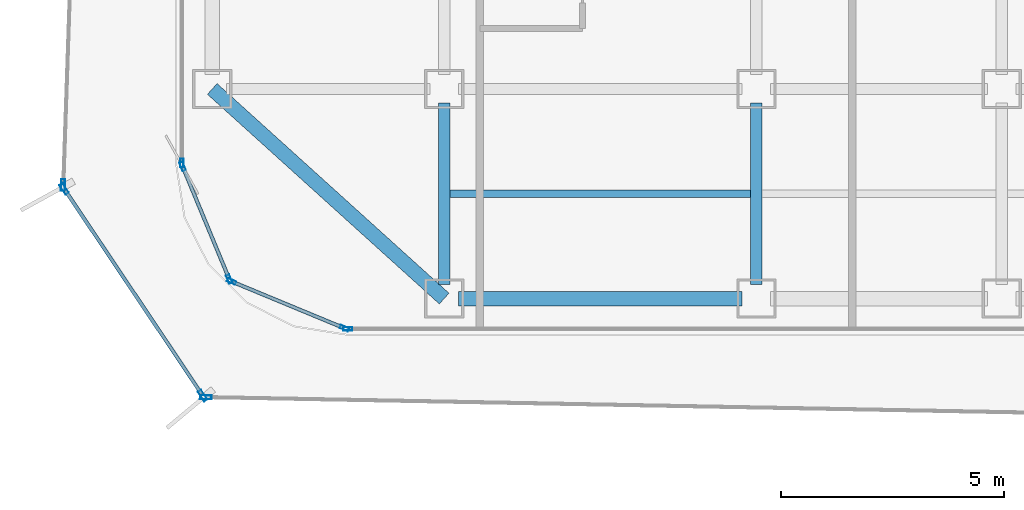
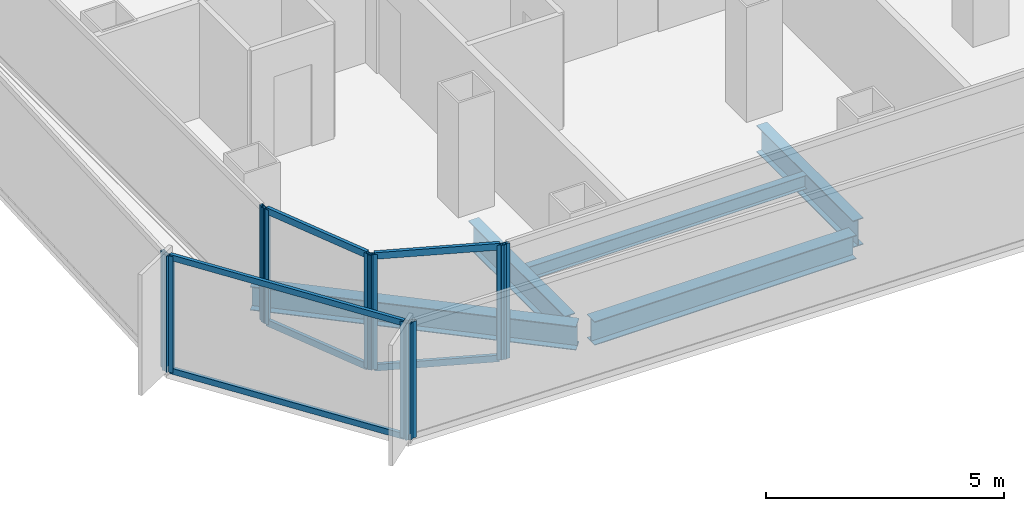
# One storey, part 2 of 21: 16 members, 5 beams, 7 elements without a shape of their own.
"""IFC4 building model written with IfcOpenShell, lengths in metres."""

import ifcopenshell
import ifcopenshell.guid

model = None  # the IFC model being written
_history = None  # IfcOwnerHistory: only IFC2X3 demands one
_inside = {}  # id of a spatial element -> (the spatial element, [elements in it])
_under = {}  # id of a project, library or spatial element -> (it, [spatial elements below it])
_declared = {}  # id of a project -> (the project, [libraries it declares])
_typed = {}  # id of a type object -> (the type object, [elements of that type])
_made_of = {}  # id of a material, layer set ... -> (it, [elements and type objects made of it])


def new_model(schema):
    """Start an empty IFC model of exactly this schema.

    Asked for "IFC4X3", IfcOpenShell would pick the latest addendum, in which some entities
    have other attributes; the version numbers below select the first issue.
    IFC2X3 requires an IfcOwnerHistory on every rooted entity: one is made here for all.
    """
    global model, _history
    if schema == "IFC4X3":
        model = ifcopenshell.file(schema_version=(4, 3, 0, 0))
    else:
        model = ifcopenshell.file(schema=schema)
    _inside.clear()
    _under.clear()
    _declared.clear()
    _typed.clear()
    _made_of.clear()
    _history = None
    if model.schema == "IFC2X3":
        org = make("IfcOrganization", Name="unknown")
        user = make(
            "IfcPersonAndOrganization",
            ThePerson=make("IfcPerson", FamilyName="unknown"),
            TheOrganization=org,
        )
        app = make(
            "IfcApplication",
            ApplicationDeveloper=org,
            Version="unknown",
            ApplicationFullName="unknown",
            ApplicationIdentifier="unknown",
        )
        _history = make(
            "IfcOwnerHistory",
            OwningUser=user,
            OwningApplication=app,
            ChangeAction="ADDED",
            CreationDate=0,
        )
    return model


def make(cls, **values):
    """One entity of the class cls with the attributes given. An attribute that is None is left unset."""
    return model.create_entity(
        cls, **{name: value for name, value in values.items() if value is not None}
    )


def rooted(cls, **values):
    """An entity with a GlobalId (a new one), such as an element, a storey or a relation."""
    return make(cls, GlobalId=ifcopenshell.guid.new(), OwnerHistory=_history, **values)


def si_unit(unit_type, name, prefix=None):
    """IfcSIUnit, for example si_unit("LENGTHUNIT", "METRE", prefix="MILLI")."""
    return make("IfcSIUnit", UnitType=unit_type, Prefix=prefix, Name=name)


def assignment(units):
    """IfcUnitAssignment: the units of a project."""
    return None if units is None else make("IfcUnitAssignment", Units=units)


def point(xyz):
    """IfcCartesianPoint."""
    return None if xyz is None else make("IfcCartesianPoint", Coordinates=xyz)


def direction(xyz):
    """IfcDirection."""
    return None if xyz is None else make("IfcDirection", DirectionRatios=xyz)


def frame(location, z_axis=None, x_axis=None):
    """IfcAxis2Placement3D, a coordinate frame: its origin and axes. An axis left out is left unset."""
    return make(
        "IfcAxis2Placement3D",
        Location=point(location),
        Axis=direction(z_axis),
        RefDirection=direction(x_axis),
    )


def frame_2d(location, x_axis=None):
    """IfcAxis2Placement2D, a coordinate frame in the plane: its origin and x axis."""
    return make(
        "IfcAxis2Placement2D", Location=point(location), RefDirection=direction(x_axis)
    )


def origin():
    """The frame at (0, 0, 0) with its axes left unset."""
    return frame((0.0, 0.0, 0.0))


def origin_2d():
    """The frame at (0, 0) in the plane with its x axis left unset."""
    return frame_2d((0.0, 0.0))


def place(relative_to, where):
    """IfcLocalPlacement: puts the frame where relative to a parent placement (None: the world)."""
    return make(
        "IfcLocalPlacement", PlacementRelTo=relative_to, RelativePlacement=where
    )


def context(
    kind, dimensions, precision=None, world=None, true_north=None, identifier=None
):
    """IfcGeometricRepresentationContext, for example the 3D "Model" context."""
    return make(
        "IfcGeometricRepresentationContext",
        ContextIdentifier=identifier,
        ContextType=kind,
        CoordinateSpaceDimension=dimensions,
        Precision=precision,
        WorldCoordinateSystem=world,
        TrueNorth=true_north,
    )


def subcontext(parent, identifier, kind, view, scale=None):
    """IfcGeometricRepresentationSubContext, for example "Body" below "Model"."""
    return make(
        "IfcGeometricRepresentationSubContext",
        ContextIdentifier=identifier,
        ContextType=kind,
        ParentContext=parent,
        TargetScale=scale,
        TargetView=view,
    )


def project(units=None, contexts=None):
    """IfcProject with its units and contexts."""
    return rooted(
        "IfcProject",
        Name="project",
        RepresentationContexts=contexts,
        UnitsInContext=assignment(units),
    )


def spatial(cls, under=None, at=None, **own):
    """A site, building, storey or space (cls), placed at a placement, below another one or the project."""
    s = rooted(cls, ObjectPlacement=at, **own)
    if under is not None:
        _under.setdefault(under.id(), (under, []))[1].append(s)
    return s


def profile(cls, at=None, kind="AREA", **sizes):
    """A parametric profile (cls). Its sizes go by their IFC names, for example OverallWidth=200.0."""
    return make(cls, ProfileType=kind, Position=at, **sizes)


def hollow_rectangle(**sizes):
    """IfcRectangleHollowProfileDef."""
    return profile("IfcRectangleHollowProfileDef", **sizes)


def i_section(**sizes):
    """IfcIShapeProfileDef."""
    return profile("IfcIShapeProfileDef", **sizes)


def extrude(swept, where, along, depth):
    """IfcExtrudedAreaSolid: the profile swept, set in the frame where, extruded along a direction by depth."""
    return make(
        "IfcExtrudedAreaSolid",
        SweptArea=swept,
        Position=where,
        ExtrudedDirection=direction(along),
        Depth=depth,
    )


def shape(context_of_items, identifier, shape_type, items):
    """IfcShapeRepresentation: the items that make up one representation, for example the "Body"."""
    return make(
        "IfcShapeRepresentation",
        ContextOfItems=context_of_items,
        RepresentationIdentifier=identifier,
        RepresentationType=shape_type,
        Items=items,
    )


def source(mapping_origin, context_of_items, identifier, shape_type, items):
    """IfcRepresentationMap: a shape defined once, which mapped items show again and again."""
    return make(
        "IfcRepresentationMap",
        MappingOrigin=mapping_origin,
        MappedRepresentation=shape(context_of_items, identifier, shape_type, items),
    )


def transform(
    local_origin,
    x_axis=None,
    y_axis=None,
    z_axis=None,
    scale=None,
    scale2=None,
    scale3=None,
    uniform=True,
):
    """IfcCartesianTransformationOperator3D, or its non-uniform kind. x_axis, y_axis, z_axis: its Axis1, 2, 3."""
    if uniform:
        return make(
            "IfcCartesianTransformationOperator3D",
            Axis1=direction(x_axis),
            Axis2=direction(y_axis),
            LocalOrigin=point(local_origin),
            Scale=scale,
            Axis3=direction(z_axis),
        )
    return make(
        "IfcCartesianTransformationOperator3DnonUniform",
        Axis1=direction(x_axis),
        Axis2=direction(y_axis),
        LocalOrigin=point(local_origin),
        Scale=scale,
        Axis3=direction(z_axis),
        Scale2=scale2,
        Scale3=scale3,
    )


def mapped(mapping_source, mapping_target):
    """IfcMappedItem: shows the shape of a source again, moved by a transform."""
    return make(
        "IfcMappedItem", MappingSource=mapping_source, MappingTarget=mapping_target
    )


def material(Name=None, Category=None):
    """IfcMaterial."""
    return make("IfcMaterial", Name=Name, Category=Category)


def layer(
    of_material, thickness, ventilated=None, Name=None, Category=None, Priority=None
):
    """IfcMaterialLayer: one layer of a wall or slab, of a material (None: an air gap)."""
    return make(
        "IfcMaterialLayer",
        Material=of_material,
        LayerThickness=thickness,
        IsVentilated=ventilated,
        Name=Name,
        Category=Category,
        Priority=Priority,
    )


def layer_set(layers, Name=None):
    """IfcMaterialLayerSet."""
    return make("IfcMaterialLayerSet", MaterialLayers=layers, LayerSetName=Name)


def material_profile(
    of_material, cross_section, Name=None, Category=None, Priority=None
):
    """IfcMaterialProfile: a cross section and its material."""
    return make(
        "IfcMaterialProfile",
        Name=Name,
        Material=of_material,
        Profile=cross_section,
        Priority=Priority,
        Category=Category,
    )


def profile_set(profiles, Name=None, composite=None):
    """IfcMaterialProfileSet."""
    return make(
        "IfcMaterialProfileSet",
        Name=Name,
        MaterialProfiles=profiles,
        CompositeProfile=composite,
    )


def made_of(thing, what):
    """Note that an element or type object is made of a material, layer set ...; save() writes the relation."""
    if what is not None:
        _made_of.setdefault(what.id(), (what, []))[1].append(thing)
    return thing


def type_object(cls, material=None, **own):
    """A type object (cls), such as IfcWallType, which elements share."""
    return made_of(rooted(cls, **own), material)


def element(
    cls,
    number,
    at=None,
    inside=None,
    cuts=None,
    type_object=None,
    material=None,
    context=None,
    identifier="Body",
    shape_type=None,
    held_by="IfcProductDefinitionShape",
    body=None,
    shapes=None,
    **own,
):
    """One element of the class cls, such as IfcWall. Its Tag is "e" and its number.

    at: its placement. inside: the storey or other place that contains it. cuts: it is an
    opening in that element (IfcRelVoidsElement). A single representation is given by context,
    identifier, shape_type and body (its items); several are given by shapes. held_by: the class
    of the entity that holds the representations. save() writes the other relations.
    """
    e = rooted(cls, Tag="e%d" % number, ObjectPlacement=at, **own)
    if body is not None:
        shapes = [shape(context, identifier, shape_type, body)]
    if shapes is not None:
        e.Representation = make(held_by, Representations=shapes)
    if inside is not None:
        _inside.setdefault(inside.id(), (inside, []))[1].append(e)
    if cuts is not None:
        rooted(
            "IfcRelVoidsElement", RelatingBuildingElement=cuts, RelatedOpeningElement=e
        )
    if type_object is not None:
        _typed.setdefault(type_object.id(), (type_object, []))[1].append(e)
    return made_of(e, material)


def aggregate(whole, parts):
    """IfcRelAggregates: a whole, such as a stair, and the parts it consists of."""
    return rooted("IfcRelAggregates", RelatingObject=whole, RelatedObjects=parts)


def save(model, path):
    """Write the relations noted so far, then the file.

    IfcRelAggregates (storeys below a building ...), IfcRelContainedInSpatialStructure (elements
    in a storey), IfcRelDefinesByType, IfcRelAssociatesMaterial and IfcRelDeclares: one each for
    every whole, place, type object, material and project.
    """
    for whole, parts in _under.values():
        aggregate(whole, parts)
    for where, things in _inside.values():
        rooted(
            "IfcRelContainedInSpatialStructure",
            RelatedElements=things,
            RelatingStructure=where,
        )
    for kind, things in _typed.values():
        rooted("IfcRelDefinesByType", RelatedObjects=things, RelatingType=kind)
    for what, things in _made_of.values():
        rooted("IfcRelAssociatesMaterial", RelatedObjects=things, RelatingMaterial=what)
    for by, libraries in _declared.values():
        rooted("IfcRelDeclares", RelatingContext=by, RelatedDefinitions=libraries)
    model.write(path)


model = new_model("IFC4")

# Units and contexts
model_context = context("Model", 3, precision=1e-05, world=origin(), true_north=direction((0.0, 1.0)))
body_context = subcontext(model_context, "Body", "Model", "MODEL_VIEW")
ifc_project = project(units=[si_unit("LENGTHUNIT", "METRE"), si_unit("AREAUNIT", "SQUARE_METRE"), si_unit("VOLUMEUNIT", "CUBIC_METRE"), si_unit("PLANEANGLEUNIT", "RADIAN"), si_unit("MASSUNIT", "GRAM", prefix="KILO")], contexts=[model_context])

# Site, building, storey
site_placement = place(None, origin())
site = spatial("IfcSite", under=ifc_project, at=site_placement, CompositionType="ELEMENT")
building_placement = place(site_placement, origin())
building = spatial("IfcBuilding", under=site, at=building_placement, Name="Kolveth Station Tower", CompositionType="ELEMENT")
storey_placement = place(building_placement, frame((0.0, 0.0, 95.89990234375)))
storey = spatial("IfcBuildingStorey", under=building, at=storey_placement, Name="L25", CompositionType="ELEMENT", Elevation=95.89990234375)

# Beams
ifc_material_1 = material(Name="Steel S355", Category="steel")
ifc_material_profile_1 = material_profile(ifc_material_1, i_section(OverallWidth=0.323974609375, OverallDepth=0.611083984375, WebThickness=0.0126953125, FlangeThickness=0.01904296875, at=origin_2d()), Name="W610x155")
ifc_profile_set_1 = profile_set([ifc_material_profile_1], Name="Steel S355")
beam_type_1 = type_object("IfcBeamType", Name="Beam_SP2", PredefinedType="SPANDREL", material=ifc_profile_set_1)
shared_shape_1 = source(origin(), body_context, "Body", "SweptSolid", [
    extrude(i_section(OverallWidth=0.323974609375, OverallDepth=0.611083984375, WebThickness=0.0126953125, FlangeThickness=0.01904296875, at=origin_2d()), origin(), (0.0, 0.0, 1.0), 6.35986328125),
])
beam_1_placement = place(storey_placement, frame((6.320068359375, 0.800048828125, -0.555419921875), z_axis=(1.0, 0.0, 0.0), x_axis=(0.0, 1.0, 0.0)))
element("IfcBeam", 1, at=beam_1_placement, inside=storey, type_object=beam_type_1, Name="L25 Perimeter Spandrel BM-L25-PS-1", PredefinedType="SPANDREL", context=body_context, shape_type="MappedRepresentation", body=[
    mapped(shared_shape_1, transform((0.0, 0.0, 0.0), x_axis=(1.0, 0.0, 0.0), y_axis=(0.0, 1.0, 0.0), z_axis=(0.0, 0.0, 1.0), scale=1.0)),
])
shared_shape_2 = source(origin(), body_context, "Body", "SweptSolid", [
    extrude(i_section(OverallWidth=0.323974609375, OverallDepth=0.611083984375, WebThickness=0.0126953125, FlangeThickness=0.01904296875, at=origin_2d()), origin(), (0.0, 0.0, 1.0), 7.00927734375),
])
beam_2_placement = place(storey_placement, frame((0.800048828125, 5.5, -0.555419921875), z_axis=(0.741874009795, -0.670539300557, 0.0), x_axis=(0.670539300557, 0.741874009795, 0.0)))
element("IfcBeam", 2, at=beam_2_placement, inside=storey, type_object=beam_type_1, Name="L25 Corner Edge Girder BM-L25-CNR-SW", PredefinedType="SPANDREL", context=body_context, shape_type="MappedRepresentation", body=[
    mapped(shared_shape_2, transform((0.0, 0.0, 0.0), x_axis=(1.0, 0.0, 0.0), y_axis=(0.0, 1.0, 0.0), z_axis=(0.0, 0.0, 1.0), scale=1.0)),
])
ifc_material_profile_2 = material_profile(ifc_material_1, i_section(OverallWidth=0.25390625, OverallDepth=0.68798828125, WebThickness=0.01318359375, FlangeThickness=0.02099609375, at=origin_2d()), Name="W690x152")
ifc_profile_set_2 = profile_set([ifc_material_profile_2], Name="Steel S355")
beam_type_2 = type_object("IfcBeamType", Name="Beam_B4", PredefinedType="BEAM", material=ifc_profile_set_2)
shared_shape_3 = source(origin(), body_context, "Body", "SweptSolid", [
    extrude(i_section(OverallWidth=0.25390625, OverallDepth=0.68798828125, WebThickness=0.01318359375, FlangeThickness=0.02099609375, at=origin_2d()), origin(), (0.0, 0.0, 1.0), 4.059814453125),
])
for number, where, z_axis, x_axis, name in (
    (3, (6.0, 1.1201171875, -0.593994140625), (0.0, 1.0, 0.0), (-1.0, 0.0, 0.0), "L25 Primary Girder BM-L25-GX60-1"),
    (4, (13.0, 1.1201171875, -0.593994140625), (0.0, 1.0, 0.0), (-1.0, 0.0, 0.0), "L25 Primary Girder BM-L25-GX130-1"),
):
    element("IfcBeam", number, at=place(storey_placement, frame(where, z_axis=z_axis, x_axis=x_axis)), inside=storey, type_object=beam_type_2, Name=name, PredefinedType="BEAM", context=body_context, shape_type="MappedRepresentation", body=[
        mapped(shared_shape_3, transform((0.0, 0.0, 0.0), x_axis=(1.0, 0.0, 0.0), y_axis=(0.0, 1.0, 0.0), z_axis=(0.0, 0.0, 1.0), scale=1.0)),
    ])
ifc_material_profile_3 = material_profile(ifc_material_1, i_section(OverallWidth=0.1708984375, OverallDepth=0.35205078125, WebThickness=0.0068359375, FlangeThickness=0.009765625, at=origin_2d()), Name="W360x44")
ifc_profile_set_3 = profile_set([ifc_material_profile_3], Name="Steel S355")
beam_type_3 = type_object("IfcBeamType", Name="Beam_J2", PredefinedType="JOIST", material=ifc_profile_set_3)
shared_shape_4 = source(origin(), body_context, "Body", "SweptSolid", [
    extrude(i_section(OverallWidth=0.1708984375, OverallDepth=0.35205078125, WebThickness=0.0068359375, FlangeThickness=0.009765625, at=origin_2d()), origin(), (0.0, 0.0, 1.0), 6.75),
])
beam_3_placement = place(storey_placement, frame((6.125, 3.14990234375, -0.42578125), z_axis=(1.0, 0.0, 0.0), x_axis=(0.0, 1.0, 0.0)))
element("IfcBeam", 5, at=beam_3_placement, inside=storey, type_object=beam_type_3, Name="L25 Secondary Joist JST-L25-2-1", PredefinedType="JOIST", context=body_context, shape_type="MappedRepresentation", body=[
    mapped(shared_shape_4, transform((0.0, 0.0, 0.0), x_axis=(1.0, 0.0, 0.0), y_axis=(0.0, 1.0, 0.0), z_axis=(0.0, 0.0, 1.0), scale=1.0)),
])

# Curtain wall, members
ifc_material_2 = material(Name="Aluminium 6063-T6 and low-E dark glass", Category="aluminium")
ifc_layer_1 = layer(ifc_material_2, 0.18994140625)
ifc_layer_set_1 = layer_set([ifc_layer_1], Name="Aluminium 6063-T6 and low-E dark glass")
curtain_wall_type_1 = type_object("IfcCurtainWallType", Name="CurtainWall_CW-Z2", PredefinedType="NOTDEFINED", material=ifc_layer_set_1)
curtain_wall_1_placement = place(storey_placement, origin())
curtain_wall_1 = element("IfcCurtainWall", 6, at=curtain_wall_1_placement, inside=storey, type_object=curtain_wall_type_1, Name="L25 Inner Thermal Curtain Wall 10", PredefinedType="NOTDEFINED")
ifc_material_3 = material(Name="Black anodized aluminium 6063-T6", Category="aluminium")
ifc_material_profile_4 = material_profile(ifc_material_3, hollow_rectangle(XDim=0.080078125, YDim=0.169921875, WallThickness=0.0048828125, at=origin_2d()), Name="ALU-80x170x5")
ifc_profile_set_4 = profile_set([ifc_material_profile_4], Name="Black anodized aluminium 6063-T6")
member_type_1 = type_object("IfcMemberType", Name="Transom_TR2", PredefinedType="USERDEFINED", material=ifc_profile_set_4)
shared_shape_5 = source(origin(), body_context, "Body", "SweptSolid", [
    extrude(hollow_rectangle(XDim=0.080078125, YDim=0.169921875, WallThickness=0.0048828125, at=origin_2d()), origin(), (0.0, 0.0, 1.0), 2.656494140625),
])
member_1_placement = place(storey_placement, frame((0.150634765625, 3.72607421875, 0.0400390625), z_axis=(0.382676455475, -0.923882422403, 0.0), x_axis=(0.923882422403, 0.382676455475, 0.0)))
member_1 = element("IfcMember", 7, at=member_1_placement, type_object=member_type_1, Name="CW-Z2 transom 1.1", ObjectType="TRANSOM", PredefinedType="USERDEFINED", context=body_context, shape_type="MappedRepresentation", body=[
    mapped(shared_shape_5, transform((0.0, 0.0, 0.0), x_axis=(1.0, 0.0, 0.0), y_axis=(0.0, 1.0, 0.0), z_axis=(0.0, 0.0, 1.0), scale=1.0)),
])
member_2_placement = place(storey_placement, frame((0.150634765625, 3.72607421875, 2.91015625), z_axis=(0.382676455475, -0.923882422403, 0.0), x_axis=(0.923882422403, 0.382676455475, 0.0)))
member_2 = element("IfcMember", 8, at=member_2_placement, type_object=member_type_1, Name="CW-Z2 transom 1.2", ObjectType="TRANSOM", PredefinedType="USERDEFINED", context=body_context, shape_type="MappedRepresentation", body=[
    mapped(shared_shape_5, transform((0.0, 0.0, 0.0), x_axis=(1.0, 0.0, 0.0), y_axis=(0.0, 1.0, 0.0), z_axis=(0.0, 0.0, 1.0), scale=1.0)),
])

curtain_wall_2_placement = place(storey_placement, origin())
curtain_wall_2 = element("IfcCurtainWall", 9, at=curtain_wall_2_placement, inside=storey, type_object=curtain_wall_type_1, Name="L25 Inner Thermal Curtain Wall 11", PredefinedType="NOTDEFINED")
member_3_placement = place(storey_placement, frame((1.271728515625, 1.167236328125, 0.0400390625), z_axis=(0.923882422403, -0.382676455475, 0.0), x_axis=(0.382676455475, 0.923882422403, 0.0)))
member_3 = element("IfcMember", 10, at=member_3_placement, type_object=member_type_1, Name="CW-Z2 transom 1.1", ObjectType="TRANSOM", PredefinedType="USERDEFINED", context=body_context, shape_type="MappedRepresentation", body=[
    mapped(shared_shape_5, transform((0.0, 0.0, 0.0), x_axis=(1.0, 0.0, 0.0), y_axis=(0.0, 1.0, 0.0), z_axis=(0.0, 0.0, 1.0), scale=1.0)),
])
member_4_placement = place(storey_placement, frame((1.271728515625, 1.167236328125, 2.91015625), z_axis=(0.923882422403, -0.382676455475, 0.0), x_axis=(0.382676455475, 0.923882422403, 0.0)))
member_4 = element("IfcMember", 11, at=member_4_placement, type_object=member_type_1, Name="CW-Z2 transom 1.2", ObjectType="TRANSOM", PredefinedType="USERDEFINED", context=body_context, shape_type="MappedRepresentation", body=[
    mapped(shared_shape_5, transform((0.0, 0.0, 0.0), x_axis=(1.0, 0.0, 0.0), y_axis=(0.0, 1.0, 0.0), z_axis=(0.0, 0.0, 1.0), scale=1.0)),
])

# Curtain wall, member
ifc_material_4 = material(Name="Black anodized aluminium 6063-T6 and dark solar glass", Category="aluminium")
ifc_layer_2 = layer(ifc_material_4, 0.159912109375)
ifc_layer_set_2 = layer_set([ifc_layer_2], Name="Black anodized aluminium 6063-T6 and dark solar glass")
curtain_wall_type_2 = type_object("IfcCurtainWallType", Name="OUTER SKIN CW-OS", PredefinedType="NOTDEFINED", material=ifc_layer_set_2)
curtain_wall_3_placement = place(storey_placement, origin())
curtain_wall_3 = element("IfcCurtainWall", 12, at=curtain_wall_3_placement, inside=storey, type_object=curtain_wall_type_2, Name="L25 Outer Ventilated Skin Curtain Wall 6", PredefinedType="NOTDEFINED")
ifc_material_profile_5 = material_profile(ifc_material_3, hollow_rectangle(XDim=0.090087890625, YDim=0.260009765625, WallThickness=0.0048828125, at=origin_2d()), Name="ALU-90x260x5")
ifc_profile_set_5 = profile_set([ifc_material_profile_5], Name="Black anodized aluminium 6063-T6")
member_type_2 = type_object("IfcMemberType", Name="FIN MULLION ML-OS", PredefinedType="MULLION", material=ifc_profile_set_5)
shared_shape_6 = source(origin(), body_context, "Body", "SweptSolid", [
    extrude(hollow_rectangle(XDim=0.090087890625, YDim=0.260009765625, WallThickness=0.0048828125, at=origin_2d()), origin(), (0.0, 0.0, 1.0), 2.989990234375),
])
member_5_placement = place(storey_placement, frame((-2.544921875, 3.344482421875, 0.0), z_axis=(0.0, 0.0, 1.0), x_axis=(0.999418614663, -0.034094466779, 0.0)))
member_5 = element("IfcMember", 13, at=member_5_placement, type_object=member_type_2, Name="CW-OS mullion 2", PredefinedType="MULLION", context=body_context, shape_type="MappedRepresentation", body=[
    mapped(shared_shape_6, transform((0.0, 0.0, 0.0), x_axis=(1.0, 0.0, 0.0), y_axis=(0.0, 1.0, 0.0), z_axis=(0.0, 0.0, 1.0), scale=1.0)),
])
aggregate(curtain_wall_3, [member_5])

# Curtain wall, members
curtain_wall_4_placement = place(storey_placement, origin())
curtain_wall_4 = element("IfcCurtainWall", 14, at=curtain_wall_4_placement, inside=storey, type_object=curtain_wall_type_2, Name="L25 Outer Ventilated Skin Curtain Wall 7", PredefinedType="NOTDEFINED")
member_6_placement = place(storey_placement, frame((-2.521484375, 3.261962890625, 0.0), z_axis=(0.0, 0.0, 1.0), x_axis=(0.830746090413, 0.556651536658, 0.0)))
member_6 = element("IfcMember", 15, at=member_6_placement, type_object=member_type_2, Name="CW-OS mullion 1", PredefinedType="MULLION", context=body_context, shape_type="MappedRepresentation", body=[
    mapped(shared_shape_6, transform((0.0, 0.0, 0.0), x_axis=(1.0, 0.0, 0.0), y_axis=(0.0, 1.0, 0.0), z_axis=(0.0, 0.0, 1.0), scale=1.0)),
])
member_7_placement = place(storey_placement, frame((0.5859375, -1.375244140625, 0.0), z_axis=(0.0, 0.0, 1.0), x_axis=(0.830746090413, 0.556651536658, 0.0)))
member_7 = element("IfcMember", 16, at=member_7_placement, type_object=member_type_2, Name="CW-OS mullion 2", PredefinedType="MULLION", context=body_context, shape_type="MappedRepresentation", body=[
    mapped(shared_shape_6, transform((0.0, 0.0, 0.0), x_axis=(1.0, 0.0, 0.0), y_axis=(0.0, 1.0, 0.0), z_axis=(0.0, 0.0, 1.0), scale=1.0)),
])

# Curtain wall, member
curtain_wall_5_placement = place(storey_placement, origin())
curtain_wall_5 = element("IfcCurtainWall", 17, at=curtain_wall_5_placement, inside=storey, type_object=curtain_wall_type_2, Name="L25 Outer Ventilated Skin Curtain Wall 8", PredefinedType="NOTDEFINED")
member_8_placement = place(storey_placement, frame((0.656005859375, -1.41357421875, 0.0), z_axis=(0.0, 0.0, 1.0), x_axis=(0.018786490643, 0.999823518312, 0.0)))
member_8 = element("IfcMember", 18, at=member_8_placement, type_object=member_type_2, Name="CW-OS mullion 1", PredefinedType="MULLION", context=body_context, shape_type="MappedRepresentation", body=[
    mapped(shared_shape_6, transform((0.0, 0.0, 0.0), x_axis=(1.0, 0.0, 0.0), y_axis=(0.0, 1.0, 0.0), z_axis=(0.0, 0.0, 1.0), scale=1.0)),
])
aggregate(curtain_wall_5, [member_8])

curtain_wall_6_placement = place(storey_placement, origin())
curtain_wall_6 = element("IfcCurtainWall", 19, at=curtain_wall_6_placement, inside=storey, type_object=curtain_wall_type_1, Name="L25 Inner Thermal Curtain Wall 9", PredefinedType="NOTDEFINED")
ifc_material_profile_6 = material_profile(ifc_material_3, hollow_rectangle(XDim=0.080078125, YDim=0.199951171875, WallThickness=0.0048828125, at=origin_2d()), Name="ALU-80x200x5")
ifc_profile_set_6 = profile_set([ifc_material_profile_6], Name="Black anodized aluminium 6063-T6")
member_type_3 = type_object("IfcMemberType", Name="Mullion_ML2", PredefinedType="MULLION", material=ifc_profile_set_6)
shared_shape_7 = source(origin(), body_context, "Body", "SweptSolid", [
    extrude(hollow_rectangle(XDim=0.080078125, YDim=0.199951171875, WallThickness=0.0048828125, at=origin_2d()), origin(), (0.0, 0.0, 1.0), 2.9501953125),
])
member_9_placement = place(storey_placement, frame((0.1201171875, 3.840087890625, 0.0), z_axis=(0.0, 0.0, 1.0), x_axis=(1.0, 0.0, 0.0)))
member_9 = element("IfcMember", 20, at=member_9_placement, type_object=member_type_3, Name="CW-Z2 mullion 2", PredefinedType="MULLION", context=body_context, shape_type="MappedRepresentation", body=[
    mapped(shared_shape_7, transform((0.0, 0.0, 0.0), x_axis=(1.0, 0.0, 0.0), y_axis=(0.0, 1.0, 0.0), z_axis=(0.0, 0.0, 1.0), scale=1.0)),
])
aggregate(curtain_wall_6, [member_9])

# Member
member_10_placement = place(storey_placement, frame((0.13525390625, 3.762939453125, 0.0), z_axis=(0.0, 0.0, 1.0), x_axis=(0.923887883787, 0.38266326998, 0.0)))
member_10 = element("IfcMember", 21, at=member_10_placement, type_object=member_type_3, Name="CW-Z2 mullion 1", PredefinedType="MULLION", context=body_context, shape_type="MappedRepresentation", body=[
    mapped(shared_shape_7, transform((0.0, 0.0, 0.0), x_axis=(1.0, 0.0, 0.0), y_axis=(0.0, 1.0, 0.0), z_axis=(0.0, 0.0, 1.0), scale=1.0)),
])

member_11_placement = place(storey_placement, frame((1.182373046875, 1.23486328125, 0.0), z_axis=(0.0, 0.0, 1.0), x_axis=(0.923887883787, 0.38266326998, 0.0)))
member_11 = element("IfcMember", 22, at=member_11_placement, type_object=member_type_3, Name="CW-Z2 mullion 2", PredefinedType="MULLION", context=body_context, shape_type="MappedRepresentation", body=[
    mapped(shared_shape_7, transform((0.0, 0.0, 0.0), x_axis=(1.0, 0.0, 0.0), y_axis=(0.0, 1.0, 0.0), z_axis=(0.0, 0.0, 1.0), scale=1.0)),
])

aggregate(curtain_wall_1, [member_10, member_11, member_1, member_2])

member_12_placement = place(storey_placement, frame((1.23486328125, 1.182373046875, 0.0), z_axis=(0.0, 0.0, 1.0), x_axis=(0.38266326998, 0.923887883787, 0.0)))
member_12 = element("IfcMember", 23, at=member_12_placement, type_object=member_type_3, Name="CW-Z2 mullion 1", PredefinedType="MULLION", context=body_context, shape_type="MappedRepresentation", body=[
    mapped(shared_shape_7, transform((0.0, 0.0, 0.0), x_axis=(1.0, 0.0, 0.0), y_axis=(0.0, 1.0, 0.0), z_axis=(0.0, 0.0, 1.0), scale=1.0)),
])

member_13_placement = place(storey_placement, frame((3.762939453125, 0.13525390625, 0.0), z_axis=(0.0, 0.0, 1.0), x_axis=(0.38266326998, 0.923887883787, 0.0)))
member_13 = element("IfcMember", 24, at=member_13_placement, type_object=member_type_3, Name="CW-Z2 mullion 2", PredefinedType="MULLION", context=body_context, shape_type="MappedRepresentation", body=[
    mapped(shared_shape_7, transform((0.0, 0.0, 0.0), x_axis=(1.0, 0.0, 0.0), y_axis=(0.0, 1.0, 0.0), z_axis=(0.0, 0.0, 1.0), scale=1.0)),
])

aggregate(curtain_wall_2, [member_12, member_13, member_3, member_4])

# Curtain wall, member
curtain_wall_7_placement = place(storey_placement, origin())
curtain_wall_7 = element("IfcCurtainWall", 25, at=curtain_wall_7_placement, inside=storey, type_object=curtain_wall_type_1, Name="L25 Inner Thermal Curtain Wall 12", PredefinedType="NOTDEFINED")
member_14_placement = place(storey_placement, frame((3.840087890625, 0.1201171875, 0.0), z_axis=(0.0, 0.0, 1.0), x_axis=(0.0, 1.0, 0.0)))
member_14 = element("IfcMember", 26, at=member_14_placement, type_object=member_type_3, Name="CW-Z2 mullion 1", PredefinedType="MULLION", context=body_context, shape_type="MappedRepresentation", body=[
    mapped(shared_shape_7, transform((0.0, 0.0, 0.0), x_axis=(1.0, 0.0, 0.0), y_axis=(0.0, 1.0, 0.0), z_axis=(0.0, 0.0, 1.0), scale=1.0)),
])
aggregate(curtain_wall_7, [member_14])

# Member
ifc_material_profile_7 = material_profile(ifc_material_3, hollow_rectangle(XDim=0.080078125, YDim=0.14990234375, WallThickness=0.0048828125, at=origin_2d()), Name="ALU-80x150x5")
ifc_profile_set_7 = profile_set([ifc_material_profile_7], Name="Black anodized aluminium 6063-T6")
member_type_4 = type_object("IfcMemberType", Name="Transom_TR-OS", PredefinedType="USERDEFINED", material=ifc_profile_set_7)
shared_shape_8 = source(origin(), body_context, "Body", "SweptSolid", [
    extrude(hollow_rectangle(XDim=0.080078125, YDim=0.14990234375, WallThickness=0.0048828125, at=origin_2d()), origin(), (0.0, 0.0, 1.0), 5.491943359375),
])
member_15_placement = place(storey_placement, frame((-2.496337890625, 3.224609375, 0.0400390625), z_axis=(0.556647792987, -0.830748598893, 0.0), x_axis=(0.830748598893, 0.556647792987, 0.0)))
member_15 = element("IfcMember", 27, at=member_15_placement, type_object=member_type_4, Name="CW-OS transom 1.1", ObjectType="TRANSOM", PredefinedType="USERDEFINED", context=body_context, shape_type="MappedRepresentation", body=[
    mapped(shared_shape_8, transform((0.0, 0.0, 0.0), x_axis=(1.0, 0.0, 0.0), y_axis=(0.0, 1.0, 0.0), z_axis=(0.0, 0.0, 1.0), scale=1.0)),
])

member_16_placement = place(storey_placement, frame((-2.496337890625, 3.224609375, 2.9501953125), z_axis=(0.556647792987, -0.830748598893, 0.0), x_axis=(0.830748598893, 0.556647792987, 0.0)))
member_16 = element("IfcMember", 28, at=member_16_placement, type_object=member_type_4, Name="CW-OS transom 1.2", ObjectType="TRANSOM", PredefinedType="USERDEFINED", context=body_context, shape_type="MappedRepresentation", body=[
    mapped(shared_shape_8, transform((0.0, 0.0, 0.0), x_axis=(1.0, 0.0, 0.0), y_axis=(0.0, 1.0, 0.0), z_axis=(0.0, 0.0, 1.0), scale=1.0)),
])

aggregate(curtain_wall_4, [member_6, member_7, member_15, member_16])

save(model, "model.ifc")
